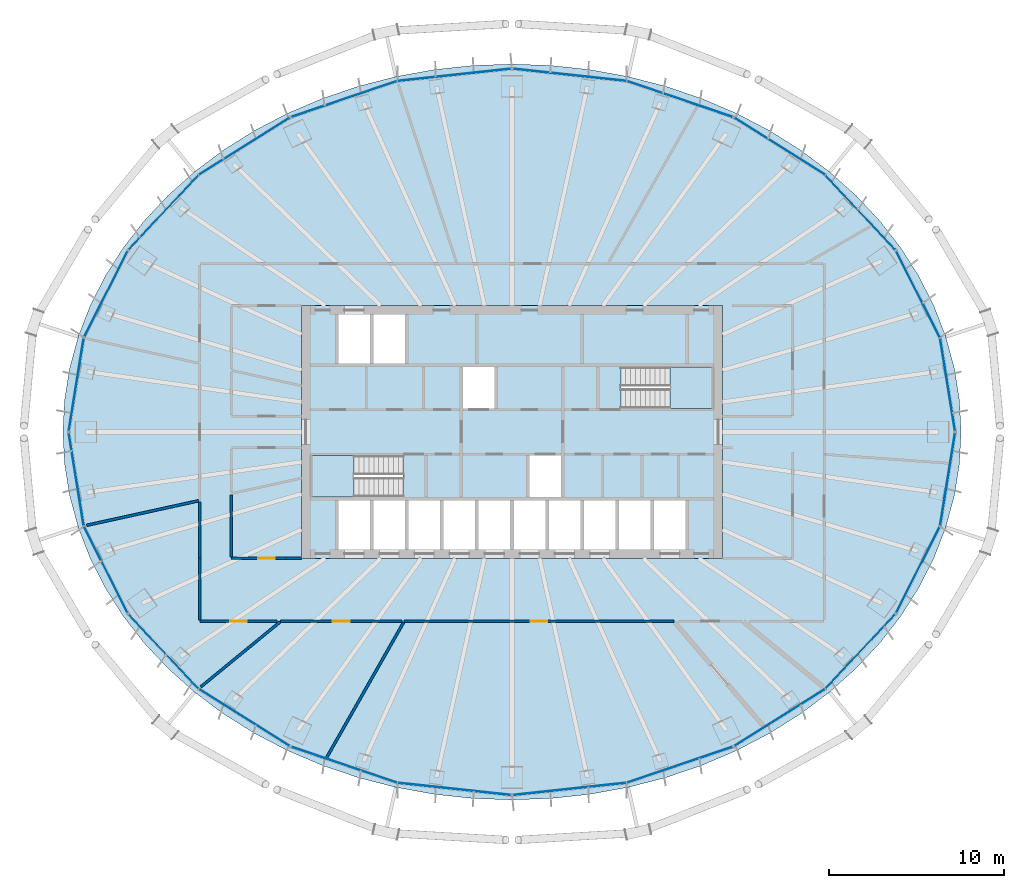
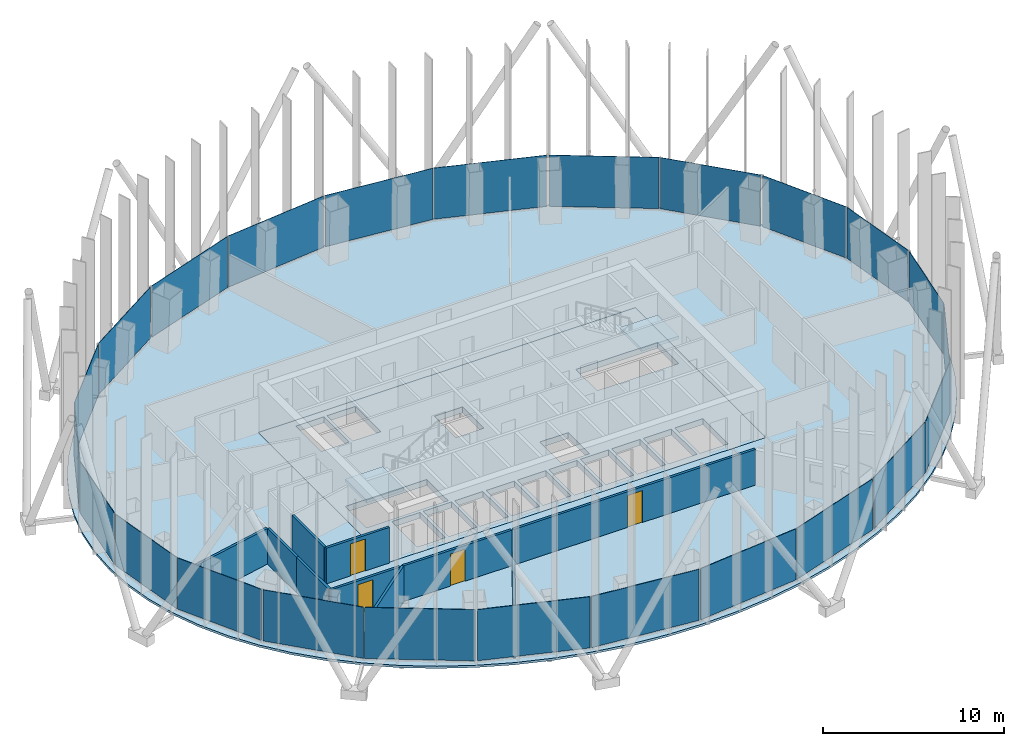
# One storey, part 7 of 19: 24 plates, 10 walls, 4 doors, 4 slabs, 4 openings, 14 elements without a shape of their own.
"""IFC4 building model written with IfcOpenShell, lengths in metres."""

from ifc_helpers import new_model, si_unit, direction, frame, frame_2d, origin, origin_2d, place, context, subcontext, project, spatial, polyline, rectangle, outline, extrude, material, layer, layer_set, type_object, element, fill, aggregate, save


model = new_model("IFC4")

# Units and contexts
model_context = context("Model", 3, precision=1e-05, world=origin(), true_north=direction((0.0, 1.0)))
body_context = subcontext(model_context, "Body", "Model", "MODEL_VIEW")
ifc_project = project(units=[si_unit("LENGTHUNIT", "METRE"), si_unit("AREAUNIT", "SQUARE_METRE"), si_unit("VOLUMEUNIT", "CUBIC_METRE"), si_unit("PLANEANGLEUNIT", "RADIAN"), si_unit("MASSUNIT", "GRAM", prefix="KILO")], contexts=[model_context])

# Site, building, storey
site_placement = place(None, origin())
site = spatial("IfcSite", under=ifc_project, at=site_placement, CompositionType="ELEMENT")
building_placement = place(site_placement, origin())
building = spatial("IfcBuilding", under=site, at=building_placement, Name="Siaravel Broadcast Tower", CompositionType="ELEMENT")
storey_placement = place(building_placement, frame((0.0, 0.0, 119.300048828125)))
storey = spatial("IfcBuildingStorey", under=building, at=storey_placement, Name="L28", CompositionType="ELEMENT", Elevation=119.300048828125)

# Curtain wall, plates
ifc_material_1 = material(Name="Aluminium 6063-T6", Category="aluminium")
ifc_layer_1 = layer(ifc_material_1, 0.199951171875)
ifc_layer_set_1 = layer_set([ifc_layer_1], Name="Aluminium 6063-T6")
curtain_wall_type = type_object("IfcCurtainWallType", Name="Unitised curtain wall, zone 2", PredefinedType="NOTDEFINED", material=ifc_layer_set_1)
curtain_wall_1_placement = place(storey_placement, origin())
curtain_wall_1 = element("IfcCurtainWall", 1, at=curtain_wall_1_placement, inside=storey, type_object=curtain_wall_type, Name="L28 Unitised curtain wall, zone 2 01", PredefinedType="NOTDEFINED")
ifc_material_2 = material(Name="Tinted laminated glass", Category="glass")
ifc_layer_2 = layer(ifc_material_2, 0.030029296875)
ifc_layer_set_2 = layer_set([ifc_layer_2], Name="Tinted laminated glass")
plate_type = type_object("IfcPlateType", Name="CW-Z2 glass panel", PredefinedType="CURTAIN_PANEL", material=ifc_layer_set_2)
plate_1_placement = place(storey_placement, frame((24.837646484375, 2.697265625, 0.10986328125), z_axis=(0.0, 0.0, 1.0), x_axis=(-0.158685611, 0.987329163, 0.0)))
plate_1 = element("IfcPlate", 2, at=plate_1_placement, type_object=plate_type, Name="CW-Z2 glass panel", PredefinedType="CURTAIN_PANEL", context=body_context, shape_type="SweptSolid", body=[
    extrude(rectangle(XDim=5.333740234375, YDim=0.030029296875, at=origin_2d()), origin(), (0.0, 0.0, 1.0), 3.43994140625),
])
plate_2_placement = place(storey_placement, frame((23.1533203125, 7.845947265625, 0.10986328125), z_axis=(0.0, 0.0, 1.0), x_axis=(-0.451261073, 0.892391979, 0.0)))
plate_2 = element("IfcPlate", 3, at=plate_2_placement, type_object=plate_type, Name="CW-Z2 glass panel", PredefinedType="CURTAIN_PANEL", context=body_context, shape_type="SweptSolid", body=[
    extrude(rectangle(XDim=5.500732421875, YDim=0.030029296875, at=origin_2d()), origin(), (0.0, 0.0, 1.0), 3.43994140625),
])
aggregate(curtain_wall_1, [plate_1, plate_2])

curtain_wall_2_placement = place(storey_placement, origin())
curtain_wall_2 = element("IfcCurtainWall", 4, at=curtain_wall_2_placement, inside=storey, type_object=curtain_wall_type, Name="L28 Unitised curtain wall, zone 2 02", PredefinedType="NOTDEFINED")
plate_3_placement = place(storey_placement, frame((19.86328125, 12.514404296875, 0.10986328125), z_axis=(0.0, 0.0, 1.0), x_axis=(-0.683655256, 0.729805105, 0.0)))
plate_3 = element("IfcPlate", 5, at=plate_3_placement, type_object=plate_type, Name="CW-Z2 glass panel", PredefinedType="CURTAIN_PANEL", context=body_context, shape_type="SweptSolid", body=[
    extrude(rectangle(XDim=5.77880859375, YDim=0.030029296875, at=origin_2d()), origin(), (0.0, 0.0, 1.0), 3.43994140625),
])
plate_4_placement = place(storey_placement, frame((15.2626953125, 16.282958984375, 0.10986328125), z_axis=(0.0, 0.0, 1.0), x_axis=(-0.846650632, 0.532149141, 0.0)))
plate_4 = element("IfcPlate", 6, at=plate_4_placement, type_object=plate_type, Name="CW-Z2 glass panel", PredefinedType="CURTAIN_PANEL", context=body_context, shape_type="SweptSolid", body=[
    extrude(rectangle(XDim=6.084228515625, YDim=0.030029296875, at=origin_2d()), origin(), (0.0, 0.0, 1.0), 3.43994140625),
])
aggregate(curtain_wall_2, [plate_3, plate_4])

curtain_wall_3_placement = place(storey_placement, origin())
curtain_wall_3 = element("IfcCurtainWall", 7, at=curtain_wall_3_placement, inside=storey, type_object=curtain_wall_type, Name="L28 Unitised curtain wall, zone 2 03", PredefinedType="NOTDEFINED")
plate_5_placement = place(storey_placement, frame((9.56982421875, 18.975341796875, 0.10986328125), z_axis=(0.0, 0.0, 1.0), x_axis=(-0.946977258, 0.321300596, 0.0)))
plate_5 = element("IfcPlate", 8, at=plate_5_placement, type_object=plate_type, Name="CW-Z2 glass panel", PredefinedType="CURTAIN_PANEL", context=body_context, shape_type="SweptSolid", body=[
    extrude(rectangle(XDim=6.337158203125, YDim=0.030029296875, at=origin_2d()), origin(), (0.0, 0.0, 1.0), 3.43994140625),
])
plate_6_placement = place(storey_placement, frame((3.285400390625, 20.3544921875, 0.10986328125), z_axis=(0.0, 0.0, 1.0), x_axis=(-0.994235591, 0.107217485, 0.0)))
plate_6 = element("IfcPlate", 9, at=plate_6_placement, type_object=plate_type, Name="CW-Z2 glass panel", PredefinedType="CURTAIN_PANEL", context=body_context, shape_type="SweptSolid", body=[
    extrude(rectangle(XDim=6.478759765625, YDim=0.030029296875, at=origin_2d()), origin(), (0.0, 0.0, 1.0), 3.43994140625),
])
aggregate(curtain_wall_3, [plate_5, plate_6])

curtain_wall_4_placement = place(storey_placement, origin())
curtain_wall_4 = element("IfcCurtainWall", 10, at=curtain_wall_4_placement, inside=storey, type_object=curtain_wall_type, Name="L28 Unitised curtain wall, zone 2 04", PredefinedType="NOTDEFINED")
plate_7_placement = place(storey_placement, frame((-3.285400390625, 20.3544921875, 0.10986328125), z_axis=(0.0, 0.0, 1.0), x_axis=(-0.994235591, -0.107217485, 0.0)))
plate_7 = element("IfcPlate", 11, at=plate_7_placement, type_object=plate_type, Name="CW-Z2 glass panel", PredefinedType="CURTAIN_PANEL", context=body_context, shape_type="SweptSolid", body=[
    extrude(rectangle(XDim=6.478759765625, YDim=0.030029296875, at=origin_2d()), origin(), (0.0, 0.0, 1.0), 3.43994140625),
])
plate_8_placement = place(storey_placement, frame((-9.56982421875, 18.975341796875, 0.10986328125), z_axis=(0.0, 0.0, 1.0), x_axis=(-0.946977258, -0.321300596, 0.0)))
plate_8 = element("IfcPlate", 12, at=plate_8_placement, type_object=plate_type, Name="CW-Z2 glass panel", PredefinedType="CURTAIN_PANEL", context=body_context, shape_type="SweptSolid", body=[
    extrude(rectangle(XDim=6.337158203125, YDim=0.030029296875, at=origin_2d()), origin(), (0.0, 0.0, 1.0), 3.43994140625),
])
aggregate(curtain_wall_4, [plate_7, plate_8])

curtain_wall_5_placement = place(storey_placement, origin())
curtain_wall_5 = element("IfcCurtainWall", 13, at=curtain_wall_5_placement, inside=storey, type_object=curtain_wall_type, Name="L28 Unitised curtain wall, zone 2 05", PredefinedType="NOTDEFINED")
plate_9_placement = place(storey_placement, frame((-15.2626953125, 16.282958984375, 0.10986328125), z_axis=(0.0, 0.0, 1.0), x_axis=(-0.846650632, -0.532149141, 0.0)))
plate_9 = element("IfcPlate", 14, at=plate_9_placement, type_object=plate_type, Name="CW-Z2 glass panel", PredefinedType="CURTAIN_PANEL", context=body_context, shape_type="SweptSolid", body=[
    extrude(rectangle(XDim=6.084228515625, YDim=0.030029296875, at=origin_2d()), origin(), (0.0, 0.0, 1.0), 3.43994140625),
])
plate_10_placement = place(storey_placement, frame((-19.86328125, 12.514404296875, 0.10986328125), z_axis=(0.0, 0.0, 1.0), x_axis=(-0.683655256, -0.729805105, 0.0)))
plate_10 = element("IfcPlate", 15, at=plate_10_placement, type_object=plate_type, Name="CW-Z2 glass panel", PredefinedType="CURTAIN_PANEL", context=body_context, shape_type="SweptSolid", body=[
    extrude(rectangle(XDim=5.77880859375, YDim=0.030029296875, at=origin_2d()), origin(), (0.0, 0.0, 1.0), 3.43994140625),
])
aggregate(curtain_wall_5, [plate_9, plate_10])

curtain_wall_6_placement = place(storey_placement, origin())
curtain_wall_6 = element("IfcCurtainWall", 16, at=curtain_wall_6_placement, inside=storey, type_object=curtain_wall_type, Name="L28 Unitised curtain wall, zone 2 06", PredefinedType="NOTDEFINED")
plate_11_placement = place(storey_placement, frame((-23.1533203125, 7.845947265625, 0.10986328125), z_axis=(0.0, 0.0, 1.0), x_axis=(-0.451261073, -0.892391979, 0.0)))
plate_11 = element("IfcPlate", 17, at=plate_11_placement, type_object=plate_type, Name="CW-Z2 glass panel", PredefinedType="CURTAIN_PANEL", context=body_context, shape_type="SweptSolid", body=[
    extrude(rectangle(XDim=5.500732421875, YDim=0.030029296875, at=origin_2d()), origin(), (0.0, 0.0, 1.0), 3.43994140625),
])
plate_12_placement = place(storey_placement, frame((-24.837646484375, 2.697265625, 0.10986328125), z_axis=(0.0, 0.0, 1.0), x_axis=(-0.158685611, -0.987329163, 0.0)))
plate_12 = element("IfcPlate", 18, at=plate_12_placement, type_object=plate_type, Name="CW-Z2 glass panel", PredefinedType="CURTAIN_PANEL", context=body_context, shape_type="SweptSolid", body=[
    extrude(rectangle(XDim=5.333740234375, YDim=0.030029296875, at=origin_2d()), origin(), (0.0, 0.0, 1.0), 3.43994140625),
])
aggregate(curtain_wall_6, [plate_11, plate_12])

curtain_wall_7_placement = place(storey_placement, origin())
curtain_wall_7 = element("IfcCurtainWall", 19, at=curtain_wall_7_placement, inside=storey, type_object=curtain_wall_type, Name="L28 Unitised curtain wall, zone 2 07", PredefinedType="NOTDEFINED")
plate_13_placement = place(storey_placement, frame((-24.837646484375, -2.697265625, 0.10986328125), z_axis=(0.0, 0.0, 1.0), x_axis=(0.158685611, -0.987329163, 0.0)))
plate_13 = element("IfcPlate", 20, at=plate_13_placement, type_object=plate_type, Name="CW-Z2 glass panel", PredefinedType="CURTAIN_PANEL", context=body_context, shape_type="SweptSolid", body=[
    extrude(rectangle(XDim=5.333740234375, YDim=0.030029296875, at=origin_2d()), origin(), (0.0, 0.0, 1.0), 3.43994140625),
])
plate_14_placement = place(storey_placement, frame((-23.1533203125, -7.845947265625, 0.10986328125), z_axis=(0.0, 0.0, 1.0), x_axis=(0.451261073, -0.892391979, 0.0)))
plate_14 = element("IfcPlate", 21, at=plate_14_placement, type_object=plate_type, Name="CW-Z2 glass panel", PredefinedType="CURTAIN_PANEL", context=body_context, shape_type="SweptSolid", body=[
    extrude(rectangle(XDim=5.500732421875, YDim=0.030029296875, at=origin_2d()), origin(), (0.0, 0.0, 1.0), 3.43994140625),
])
aggregate(curtain_wall_7, [plate_13, plate_14])

curtain_wall_8_placement = place(storey_placement, origin())
curtain_wall_8 = element("IfcCurtainWall", 22, at=curtain_wall_8_placement, inside=storey, type_object=curtain_wall_type, Name="L28 Unitised curtain wall, zone 2 08", PredefinedType="NOTDEFINED")
plate_15_placement = place(storey_placement, frame((-19.86328125, -12.514404296875, 0.10986328125), z_axis=(0.0, 0.0, 1.0), x_axis=(0.683655256, -0.729805105, 0.0)))
plate_15 = element("IfcPlate", 23, at=plate_15_placement, type_object=plate_type, Name="CW-Z2 glass panel", PredefinedType="CURTAIN_PANEL", context=body_context, shape_type="SweptSolid", body=[
    extrude(rectangle(XDim=5.77880859375, YDim=0.030029296875, at=origin_2d()), origin(), (0.0, 0.0, 1.0), 3.43994140625),
])
plate_16_placement = place(storey_placement, frame((-15.2626953125, -16.282958984375, 0.10986328125), z_axis=(0.0, 0.0, 1.0), x_axis=(0.846650632, -0.532149141, 0.0)))
plate_16 = element("IfcPlate", 24, at=plate_16_placement, type_object=plate_type, Name="CW-Z2 glass panel", PredefinedType="CURTAIN_PANEL", context=body_context, shape_type="SweptSolid", body=[
    extrude(rectangle(XDim=6.084228515625, YDim=0.030029296875, at=origin_2d()), origin(), (0.0, 0.0, 1.0), 3.43994140625),
])
aggregate(curtain_wall_8, [plate_15, plate_16])

curtain_wall_9_placement = place(storey_placement, origin())
curtain_wall_9 = element("IfcCurtainWall", 25, at=curtain_wall_9_placement, inside=storey, type_object=curtain_wall_type, Name="L28 Unitised curtain wall, zone 2 09", PredefinedType="NOTDEFINED")
plate_17_placement = place(storey_placement, frame((-9.56982421875, -18.975341796875, 0.10986328125), z_axis=(0.0, 0.0, 1.0), x_axis=(0.946977258, -0.321300596, 0.0)))
plate_17 = element("IfcPlate", 26, at=plate_17_placement, type_object=plate_type, Name="CW-Z2 glass panel", PredefinedType="CURTAIN_PANEL", context=body_context, shape_type="SweptSolid", body=[
    extrude(rectangle(XDim=6.337158203125, YDim=0.030029296875, at=origin_2d()), origin(), (0.0, 0.0, 1.0), 3.43994140625),
])
plate_18_placement = place(storey_placement, frame((-3.285400390625, -20.3544921875, 0.10986328125), z_axis=(0.0, 0.0, 1.0), x_axis=(0.994235591, -0.107217485, 0.0)))
plate_18 = element("IfcPlate", 27, at=plate_18_placement, type_object=plate_type, Name="CW-Z2 glass panel", PredefinedType="CURTAIN_PANEL", context=body_context, shape_type="SweptSolid", body=[
    extrude(rectangle(XDim=6.478759765625, YDim=0.030029296875, at=origin_2d()), origin(), (0.0, 0.0, 1.0), 3.43994140625),
])
aggregate(curtain_wall_9, [plate_17, plate_18])

curtain_wall_10_placement = place(storey_placement, origin())
curtain_wall_10 = element("IfcCurtainWall", 28, at=curtain_wall_10_placement, inside=storey, type_object=curtain_wall_type, Name="L28 Unitised curtain wall, zone 2 10", PredefinedType="NOTDEFINED")
plate_19_placement = place(storey_placement, frame((3.285400390625, -20.3544921875, 0.10986328125), z_axis=(0.0, 0.0, 1.0), x_axis=(0.994235591, 0.107217485, 0.0)))
plate_19 = element("IfcPlate", 29, at=plate_19_placement, type_object=plate_type, Name="CW-Z2 glass panel", PredefinedType="CURTAIN_PANEL", context=body_context, shape_type="SweptSolid", body=[
    extrude(rectangle(XDim=6.478759765625, YDim=0.030029296875, at=origin_2d()), origin(), (0.0, 0.0, 1.0), 3.43994140625),
])
plate_20_placement = place(storey_placement, frame((9.56982421875, -18.975341796875, 0.10986328125), z_axis=(0.0, 0.0, 1.0), x_axis=(0.946977258, 0.321300596, 0.0)))
plate_20 = element("IfcPlate", 30, at=plate_20_placement, type_object=plate_type, Name="CW-Z2 glass panel", PredefinedType="CURTAIN_PANEL", context=body_context, shape_type="SweptSolid", body=[
    extrude(rectangle(XDim=6.337158203125, YDim=0.030029296875, at=origin_2d()), origin(), (0.0, 0.0, 1.0), 3.43994140625),
])
aggregate(curtain_wall_10, [plate_19, plate_20])

curtain_wall_11_placement = place(storey_placement, origin())
curtain_wall_11 = element("IfcCurtainWall", 31, at=curtain_wall_11_placement, inside=storey, type_object=curtain_wall_type, Name="L28 Unitised curtain wall, zone 2 11", PredefinedType="NOTDEFINED")
plate_21_placement = place(storey_placement, frame((15.2626953125, -16.282958984375, 0.10986328125), z_axis=(0.0, 0.0, 1.0), x_axis=(0.846650632, 0.532149141, 0.0)))
plate_21 = element("IfcPlate", 32, at=plate_21_placement, type_object=plate_type, Name="CW-Z2 glass panel", PredefinedType="CURTAIN_PANEL", context=body_context, shape_type="SweptSolid", body=[
    extrude(rectangle(XDim=6.084228515625, YDim=0.030029296875, at=origin_2d()), origin(), (0.0, 0.0, 1.0), 3.43994140625),
])
plate_22_placement = place(storey_placement, frame((19.86328125, -12.514404296875, 0.10986328125), z_axis=(0.0, 0.0, 1.0), x_axis=(0.683655256, 0.729805105, 0.0)))
plate_22 = element("IfcPlate", 33, at=plate_22_placement, type_object=plate_type, Name="CW-Z2 glass panel", PredefinedType="CURTAIN_PANEL", context=body_context, shape_type="SweptSolid", body=[
    extrude(rectangle(XDim=5.77880859375, YDim=0.030029296875, at=origin_2d()), origin(), (0.0, 0.0, 1.0), 3.43994140625),
])
aggregate(curtain_wall_11, [plate_21, plate_22])

curtain_wall_12_placement = place(storey_placement, origin())
curtain_wall_12 = element("IfcCurtainWall", 34, at=curtain_wall_12_placement, inside=storey, type_object=curtain_wall_type, Name="L28 Unitised curtain wall, zone 2 12", PredefinedType="NOTDEFINED")
plate_23_placement = place(storey_placement, frame((23.1533203125, -7.845947265625, 0.10986328125), z_axis=(0.0, 0.0, 1.0), x_axis=(0.451261073, 0.892391979, 0.0)))
plate_23 = element("IfcPlate", 35, at=plate_23_placement, type_object=plate_type, Name="CW-Z2 glass panel", PredefinedType="CURTAIN_PANEL", context=body_context, shape_type="SweptSolid", body=[
    extrude(rectangle(XDim=5.500732421875, YDim=0.030029296875, at=origin_2d()), origin(), (0.0, 0.0, 1.0), 3.43994140625),
])
plate_24_placement = place(storey_placement, frame((24.837646484375, -2.697265625, 0.10986328125), z_axis=(0.0, 0.0, 1.0), x_axis=(0.158685611, 0.987329163, 0.0)))
plate_24 = element("IfcPlate", 36, at=plate_24_placement, type_object=plate_type, Name="CW-Z2 glass panel", PredefinedType="CURTAIN_PANEL", context=body_context, shape_type="SweptSolid", body=[
    extrude(rectangle(XDim=5.333740234375, YDim=0.030029296875, at=origin_2d()), origin(), (0.0, 0.0, 1.0), 3.43994140625),
])
aggregate(curtain_wall_12, [plate_23, plate_24])

# Slabs
ifc_material_3 = material(Name="Concrete C40/50", Category="concrete")
ifc_layer_3 = layer(ifc_material_3, 0.39990234375)
ifc_layer_set_3 = layer_set([ifc_layer_3], Name="Concrete C40/50")
slab_type_1 = type_object("IfcSlabType", Name="Core floor slab 400", PredefinedType="FLOOR", material=ifc_layer_set_3)
slab_1_placement = place(storey_placement, frame((0.0, 0.0, -0.400146484375)))
element("IfcSlab", 37, at=slab_1_placement, inside=storey, type_object=slab_type_1, Name="L28 core floor", PredefinedType="FLOOR", context=body_context, shape_type="SweptSolid", body=[
    extrude(outline(polyline([(-12.0, -7.199951171875), (-12.0, 7.199951171875), (12.0, 7.199951171875), (12.0, -7.199951171875), (-12.0, -7.199951171875)]), holes=[polyline([(11.3994140625, 1.3505859375), (11.3994140625, 3.699462890625), (6.200439453125, 3.699462890625), (6.200439453125, 1.3505859375), (11.3994140625, 1.3505859375)]), polyline([(9.89990234375, -3.89990234375), (8.10009765625, -3.89990234375), (8.10009765625, -6.699951171875), (9.89990234375, -6.699951171875), (9.89990234375, -3.89990234375)]), polyline([(7.89990234375, -3.89990234375), (6.10009765625, -3.89990234375), (6.10009765625, -6.699951171875), (7.89990234375, -6.699951171875), (7.89990234375, -3.89990234375)]), polyline([(5.89990234375, -3.89990234375), (4.10009765625, -3.89990234375), (4.10009765625, -6.699951171875), (5.89990234375, -6.699951171875), (5.89990234375, -3.89990234375)]), polyline([(3.89990234375, -3.89990234375), (2.10009765625, -3.89990234375), (2.10009765625, -6.699951171875), (3.89990234375, -6.699951171875), (3.89990234375, -3.89990234375)]), polyline([(2.800048828125, -1.35009765625), (1.0, -1.35009765625), (1.0, -3.699951171875), (2.800048828125, -3.699951171875), (2.800048828125, -1.35009765625)]), polyline([(1.89990234375, -3.89990234375), (0.10009765625, -3.89990234375), (0.10009765625, -6.699951171875), (1.89990234375, -6.699951171875), (1.89990234375, -3.89990234375)]), polyline([(-0.10009765625, -3.89990234375), (-1.89990234375, -3.89990234375), (-1.89990234375, -6.699951171875), (-0.10009765625, -6.699951171875), (-0.10009765625, -3.89990234375)]), polyline([(-1.0, 3.699951171875), (-2.800048828125, 3.699951171875), (-2.800048828125, 1.35009765625), (-1.0, 1.35009765625), (-1.0, 3.699951171875)]), polyline([(-2.10009765625, -3.89990234375), (-3.89990234375, -3.89990234375), (-3.89990234375, -6.699951171875), (-2.10009765625, -6.699951171875), (-2.10009765625, -3.89990234375)]), polyline([(-4.10009765625, -3.89990234375), (-5.89990234375, -3.89990234375), (-5.89990234375, -6.699951171875), (-4.10009765625, -6.699951171875), (-4.10009765625, -3.89990234375)]), polyline([(-6.10009765625, -3.89990234375), (-7.89990234375, -3.89990234375), (-7.89990234375, -6.699951171875), (-6.10009765625, -6.699951171875), (-6.10009765625, -3.89990234375)]), polyline([(-6.10009765625, 6.699951171875), (-7.89990234375, 6.699951171875), (-7.89990234375, 3.89990234375), (-6.10009765625, 3.89990234375), (-6.10009765625, 6.699951171875)]), polyline([(-11.3994140625, -1.3505859375), (-11.3994140625, -3.699462890625), (-6.200439453125, -3.699462890625), (-6.200439453125, -1.3505859375), (-11.3994140625, -1.3505859375)]), polyline([(-8.10009765625, -3.89990234375), (-9.89990234375, -3.89990234375), (-9.89990234375, -6.699951171875), (-8.10009765625, -6.699951171875), (-8.10009765625, -3.89990234375)]), polyline([(-8.10009765625, 6.699951171875), (-9.89990234375, 6.699951171875), (-9.89990234375, 3.89990234375), (-8.10009765625, 3.89990234375), (-8.10009765625, 6.699951171875)])]), origin(), (0.0, 0.0, 1.0), 0.400146484375),
])
ifc_layer_4 = layer(ifc_material_3, 0.14990234375)
ifc_layer_set_4 = layer_set([ifc_layer_4], Name="Concrete C40/50")
slab_type_2 = type_object("IfcSlabType", Name="SLB-FLOOR-150", PredefinedType="FLOOR", material=ifc_layer_set_4)
slab_2_placement = place(storey_placement, frame((0.0, 0.0, -0.150146484375)))
element("IfcSlab", 38, at=slab_2_placement, inside=storey, type_object=slab_type_2, Name="Floor slab", PredefinedType="FLOOR", context=body_context, shape_type="SweptSolid", body=[
    extrude(outline(polyline([(25.605224609375, 0.0), (25.5078125, 1.827880859375), (25.21630859375, 3.64208984375), (24.73291015625, 5.428466796875), (24.06103515625, 7.17333984375), (23.206298828125, 8.86376953125), (22.1748046875, 10.48681640625), (20.974609375, 12.030029296875), (19.61474609375, 13.481689453125), (18.105712890625, 14.83056640625), (16.458740234375, 16.066650390625), (14.6865234375, 17.1806640625), (12.802734375, 18.163818359375), (10.8212890625, 19.008544921875), (8.757568359375, 19.708740234375), (6.627197265625, 20.2587890625), (4.4462890625, 20.655029296875), (2.231689453125, 20.893798828125), (0.0, 20.9736328125), (-2.231689453125, 20.893798828125), (-4.4462890625, 20.655029296875), (-6.627197265625, 20.2587890625), (-8.757568359375, 19.708740234375), (-10.8212890625, 19.008544921875), (-12.802490234375, 18.163818359375), (-14.6865234375, 17.1806640625), (-16.458740234375, 16.066650390625), (-18.105712890625, 14.83056640625), (-19.61474609375, 13.481689453125), (-20.974609375, 12.030029296875), (-22.1748046875, 10.48681640625), (-23.206298828125, 8.86376953125), (-24.06103515625, 7.17333984375), (-24.73291015625, 5.428466796875), (-25.21630859375, 3.64208984375), (-25.5078125, 1.827880859375), (-25.605224609375, 0.0), (-25.5078125, -1.827880859375), (-25.21630859375, -3.64208984375), (-24.73291015625, -5.428466796875), (-24.06103515625, -7.17333984375), (-23.206298828125, -8.86376953125), (-22.1748046875, -10.48681640625), (-20.974609375, -12.030029296875), (-19.61474609375, -13.481689453125), (-18.105712890625, -14.83056640625), (-16.458740234375, -16.066650390625), (-14.6865234375, -17.1806640625), (-12.802734375, -18.163818359375), (-10.8212890625, -19.008544921875), (-8.757568359375, -19.708740234375), (-6.627197265625, -20.2587890625), (-4.4462890625, -20.655029296875), (-2.231689453125, -20.893798828125), (0.0, -20.9736328125), (2.231689453125, -20.893798828125), (4.4462890625, -20.655029296875), (6.627197265625, -20.2587890625), (8.757568359375, -19.708740234375), (10.8212890625, -19.008544921875), (12.802734375, -18.163818359375), (14.6865234375, -17.1806640625), (16.458740234375, -16.066650390625), (18.105712890625, -14.83056640625), (19.61474609375, -13.481689453125), (20.974609375, -12.030029296875), (22.1748046875, -10.48681640625), (23.206298828125, -8.86376953125), (24.06103515625, -7.17333984375), (24.73291015625, -5.428466796875), (25.21630859375, -3.64208984375), (25.5078125, -1.827880859375), (25.605224609375, 0.0)]), holes=[polyline([(-12.0, 7.199951171875), (12.0, 7.199951171875), (12.0, -7.199951171875), (-12.0, -7.199951171875), (-12.0, 7.199951171875)])]), origin(), (0.0, 0.0, 1.0), 0.150146484375),
])

# Stair, slab
stair_type = type_object("IfcStairType", Name="Core exit stair", PredefinedType="HALF_TURN_STAIR", material=ifc_material_3)
stair_1_placement = place(storey_placement, origin())
stair_1 = element("IfcStair", 39, at=stair_1_placement, inside=storey, type_object=stair_type, Name="L28 Exit stair ST-1", PredefinedType="HALF_TURN_STAIR")
ifc_layer_5 = layer(ifc_material_3, 0.199951171875)
ifc_layer_set_5 = layer_set([ifc_layer_5], Name="Concrete C40/50")
slab_type_3 = type_object("IfcSlabType", Name="Stair landing", PredefinedType="LANDING", material=ifc_layer_set_5)
slab_3_placement = place(storey_placement, frame((0.0, 0.0, 1.64990234375)))
slab_3 = element("IfcSlab", 40, at=slab_3_placement, type_object=slab_type_3, Name="ST-1 landing 1", PredefinedType="LANDING", context=body_context, shape_type="SweptSolid", body=[
    extrude(outline(polyline([(-9.0, -1.35009765625), (-11.39990234375, -1.35009765625), (-11.39990234375, -3.699951171875), (-9.0, -3.699951171875), (-9.0, -1.35009765625)])), origin(), (0.0, 0.0, 1.0), 0.199951171875),
])
aggregate(stair_1, [slab_3])

stair_2_placement = place(storey_placement, origin())
stair_2 = element("IfcStair", 41, at=stair_2_placement, inside=storey, type_object=stair_type, Name="L28 Exit stair ST-2", PredefinedType="HALF_TURN_STAIR")
slab_4_placement = place(storey_placement, frame((0.0, 0.0, 1.64990234375)))
slab_4 = element("IfcSlab", 42, at=slab_4_placement, type_object=slab_type_3, Name="ST-2 landing 1", PredefinedType="LANDING", context=body_context, shape_type="SweptSolid", body=[
    extrude(outline(polyline([(9.0, 1.35009765625), (11.39990234375, 1.35009765625), (11.39990234375, 3.699951171875), (9.0, 3.699951171875), (9.0, 1.35009765625)])), origin(), (0.0, 0.0, 1.0), 0.199951171875),
])
aggregate(stair_2, [slab_4])

# Wall, opening, door
ifc_material_4 = material(Name="Gypsum board partition", Category="gypsum")
ifc_layer_6 = layer(ifc_material_4, 0.14990234375)
ifc_layer_set_6 = layer_set([ifc_layer_6], Name="Gypsum board partition")
wall_type_1 = type_object("IfcWallType", Name="Corridor wall 150", PredefinedType="PARTITIONING", material=ifc_layer_set_6)
wall_1_placement = place(storey_placement, frame((-6.148193359375, -10.800048828125, 0.0), z_axis=(0.0, 0.0, 1.0), x_axis=(1.0, 0.0, 0.0)))
wall_1 = element("IfcWall", 43, at=wall_1_placement, inside=storey, type_object=wall_type_1, Name="L28 partition 1", PredefinedType="PARTITIONING", context=body_context, shape_type="SweptSolid", body=[
    extrude(rectangle(XDim=15.38037109375, YDim=0.14990234375, at=frame_2d((7.690185546875, 0.0))), origin(), (0.0, 0.0, 1.0), 2.39990234375),
])
opening_1_placement = place(wall_1_placement, frame((7.215087890625, 0.0, 0.0)))
opening_1 = element("IfcOpeningElement", 44, at=opening_1_placement, cuts=wall_1, Name="Opening L28-016", PredefinedType="OPENING", context=body_context, shape_type="SweptSolid", body=[
    extrude(rectangle(XDim=0.949951171875, YDim=2.14990234375, at=frame_2d((0.47509765625, 1.074951171875))), frame((0.0, 0.0849609375, 0.0), z_axis=(0.0, -1.0, 0.0), x_axis=(1.0, 0.0, 0.0)), (0.0, 0.0, 1.0), 0.169921875),
])
ifc_material_5 = material(Name="Timber veneer", Category="wood")
door_type = type_object("IfcDoorType", Name="Office door 950", OperationType="SINGLE_SWING_LEFT", PredefinedType="DOOR", material=ifc_material_5)
door_1_placement = place(opening_1_placement, origin())
door_1 = element("IfcDoor", 45, at=door_1_placement, inside=storey, type_object=door_type, Name="L28 door to Design studio", OperationType="SINGLE_SWING_RIGHT", OverallHeight=2.14990234375, OverallWidth=0.949951171875, PredefinedType="DOOR", context=body_context, shape_type="SweptSolid", body=[
    extrude(rectangle(XDim=0.949951171875, YDim=2.14990234375, at=frame_2d((0.47509765625, 1.074951171875))), frame((0.0, 0.02490234375, 0.0), z_axis=(0.0, -1.0, 0.0), x_axis=(1.0, 0.0, 0.0)), (0.0, 0.0, 1.0), 0.050048828125),
])
fill(opening_1, door_1)

wall_2_placement = place(storey_placement, frame((-13.18505859375, -10.800048828125, 0.0), z_axis=(0.0, 0.0, 1.0), x_axis=(1.0, 0.0, 0.0)))
wall_2 = element("IfcWall", 46, at=wall_2_placement, inside=storey, type_object=wall_type_1, Name="L28 partition 12", PredefinedType="PARTITIONING", context=body_context, shape_type="SweptSolid", body=[
    extrude(rectangle(XDim=6.90576171875, YDim=0.14990234375, at=frame_2d((3.452880859375, 0.0))), origin(), (0.0, 0.0, 1.0), 2.39990234375),
])
opening_2_placement = place(wall_2_placement, frame((2.977783203125, 0.0, 0.0)))
opening_2 = element("IfcOpeningElement", 47, at=opening_2_placement, cuts=wall_2, Name="Opening L28-015", PredefinedType="OPENING", context=body_context, shape_type="SweptSolid", body=[
    extrude(rectangle(XDim=0.949951171875, YDim=2.14990234375, at=frame_2d((0.47509765625, 1.074951171875))), frame((0.0, 0.0849609375, 0.0), z_axis=(0.0, -1.0, 0.0), x_axis=(1.0, 0.0, 0.0)), (0.0, 0.0, 1.0), 0.169921875),
])
door_2_placement = place(opening_2_placement, origin())
door_2 = element("IfcDoor", 48, at=door_2_placement, inside=storey, type_object=door_type, Name="L28 door to Production office", OperationType="SINGLE_SWING_LEFT", OverallHeight=2.14990234375, OverallWidth=0.949951171875, PredefinedType="DOOR", context=body_context, shape_type="SweptSolid", body=[
    extrude(rectangle(XDim=0.949951171875, YDim=2.14990234375, at=frame_2d((0.47509765625, 1.074951171875))), frame((0.0, 0.02490234375, 0.0), z_axis=(0.0, -1.0, 0.0), x_axis=(1.0, 0.0, 0.0)), (0.0, 0.0, 1.0), 0.050048828125),
])
fill(opening_2, door_2)

wall_3_placement = place(storey_placement, frame((-17.800048828125, -10.800048828125, 0.0), z_axis=(0.0, 0.0, 1.0), x_axis=(1.0, 0.0, 0.0)))
wall_3 = element("IfcWall", 49, at=wall_3_placement, inside=storey, type_object=wall_type_1, Name="L28 partition 20", PredefinedType="PARTITIONING", context=body_context, shape_type="SweptSolid", body=[
    extrude(rectangle(XDim=4.403076171875, YDim=0.14990234375, at=frame_2d((2.20166015625, 0.0))), origin(), (0.0, 0.0, 1.0), 2.39990234375),
])
opening_3_placement = place(wall_3_placement, frame((1.7265625, 0.0, 0.0)))
opening_3 = element("IfcOpeningElement", 50, at=opening_3_placement, cuts=wall_3, Name="Opening L28-013", PredefinedType="OPENING", context=body_context, shape_type="SweptSolid", body=[
    extrude(rectangle(XDim=0.949951171875, YDim=2.14990234375, at=frame_2d((0.47509765625, 1.074951171875))), frame((0.0, 0.0849609375, 0.0), z_axis=(0.0, -1.0, 0.0), x_axis=(1.0, 0.0, 0.0)), (0.0, 0.0, 1.0), 0.169921875),
])
door_3_placement = place(opening_3_placement, origin())
door_3 = element("IfcDoor", 51, at=door_3_placement, inside=storey, type_object=door_type, Name="L28 door to Design studio", OperationType="SINGLE_SWING_LEFT", OverallHeight=2.14990234375, OverallWidth=0.949951171875, PredefinedType="DOOR", context=body_context, shape_type="SweptSolid", body=[
    extrude(rectangle(XDim=0.949951171875, YDim=2.14990234375, at=frame_2d((0.47509765625, 1.074951171875))), frame((0.0, 0.02490234375, 0.0), z_axis=(0.0, -1.0, 0.0), x_axis=(1.0, 0.0, 0.0)), (0.0, 0.0, 1.0), 0.050048828125),
])
fill(opening_3, door_3)

wall_4_placement = place(storey_placement, frame((-12.0, -7.199951171875, 0.0), z_axis=(0.0, 0.0, 1.0), x_axis=(-1.0, 0.0, 0.0)))
wall_4 = element("IfcWall", 52, at=wall_4_placement, inside=storey, type_object=wall_type_1, Name="L28 partition 27", PredefinedType="PARTITIONING", context=body_context, shape_type="SweptSolid", body=[
    extrude(rectangle(XDim=4.0, YDim=0.14990234375, at=frame_2d((2.0, 0.0))), origin(), (0.0, 0.0, 1.0), 2.39990234375),
])
opening_4_placement = place(wall_4_placement, frame((1.52490234375, 0.0, 0.0)))
opening_4 = element("IfcOpeningElement", 53, at=opening_4_placement, cuts=wall_4, Name="Opening L28-014", PredefinedType="OPENING", context=body_context, shape_type="SweptSolid", body=[
    extrude(rectangle(XDim=0.949951171875, YDim=2.14990234375, at=frame_2d((0.47509765625, 1.074951171875))), frame((0.0, 0.0849609375, 0.0), z_axis=(0.0, -1.0, 0.0), x_axis=(1.0, 0.0, 0.0)), (0.0, 0.0, 1.0), 0.169921875),
])
door_4_placement = place(opening_4_placement, origin())
door_4 = element("IfcDoor", 54, at=door_4_placement, inside=storey, type_object=door_type, Name="L28 door to Design studio", OperationType="SINGLE_SWING_RIGHT", OverallHeight=2.14990234375, OverallWidth=0.949951171875, PredefinedType="DOOR", context=body_context, shape_type="SweptSolid", body=[
    extrude(rectangle(XDim=0.949951171875, YDim=2.14990234375, at=frame_2d((0.47509765625, 1.074951171875))), frame((0.0, 0.02490234375, 0.0), z_axis=(0.0, -1.0, 0.0), x_axis=(1.0, 0.0, 0.0)), (0.0, 0.0, 1.0), 0.050048828125),
])
fill(opening_4, door_4)

# Walls
wall_5_placement = place(storey_placement, frame((-16.0, -7.123046875, 0.0), z_axis=(0.0, 0.0, 1.0), x_axis=(0.0, 1.0, 0.0)))
element("IfcWall", 55, at=wall_5_placement, inside=storey, type_object=wall_type_1, Name="L28 partition 32", PredefinedType="PARTITIONING", context=body_context, shape_type="SweptSolid", body=[
    extrude(rectangle(XDim=3.5361328125, YDim=0.14990234375, at=frame_2d((1.76806640625, 0.0))), origin(), (0.0, 0.0, 1.0), 2.39990234375),
])
wall_6_placement = place(storey_placement, frame((-17.800048828125, -7.18798828125, 0.0), z_axis=(0.0, 0.0, 1.0), x_axis=(0.0, -1.0, 0.0)))
element("IfcWall", 56, at=wall_6_placement, inside=storey, type_object=wall_type_1, Name="L28 partition 34", PredefinedType="PARTITIONING", context=body_context, shape_type="SweptSolid", body=[
    extrude(rectangle(XDim=3.534912109375, YDim=0.14990234375, at=frame_2d((1.767578125, 0.0))), origin(), (0.0, 0.0, 1.0), 2.39990234375),
])
wall_7_placement = place(storey_placement, frame((-17.800048828125, -4.001953125, 0.0), z_axis=(0.0, 0.0, 1.0), x_axis=(0.0, -1.0, 0.0)))
element("IfcWall", 57, at=wall_7_placement, inside=storey, type_object=wall_type_1, Name="L28 partition 37", PredefinedType="PARTITIONING", context=body_context, shape_type="SweptSolid", body=[
    extrude(rectangle(XDim=3.18505859375, YDim=0.14990234375, at=frame_2d((1.592529296875, 0.0))), origin(), (0.0, 0.0, 1.0), 2.39990234375),
])
ifc_layer_7 = layer(ifc_material_4, 0.14990234375)
ifc_layer_set_7 = layer_set([ifc_layer_7], Name="Gypsum board partition")
wall_type_2 = type_object("IfcWallType", Name="Room partition 150", PredefinedType="PARTITIONING", material=ifc_layer_set_7)
wall_8_placement = place(storey_placement, frame((-10.598388671875, -18.6171875, 0.0), z_axis=(0.0, 0.0, 1.0), x_axis=(0.494736514, 0.869043026, 0.0)))
element("IfcWall", 58, at=wall_8_placement, inside=storey, type_object=wall_type_2, Name="L28 partition 6", PredefinedType="PARTITIONING", context=body_context, shape_type="SweptSolid", body=[
    extrude(rectangle(XDim=8.927978515625, YDim=0.14990234375, at=frame_2d((4.4638671875, 0.0))), origin(), (0.0, 0.0, 1.0), 2.39990234375),
])
wall_9_placement = place(storey_placement, frame((-24.243408203125, -5.32080078125, 0.0), z_axis=(0.0, 0.0, 1.0), x_axis=(0.976754477, 0.214361126, 0.0)))
element("IfcWall", 59, at=wall_9_placement, inside=storey, type_object=wall_type_2, Name="L28 partition 14", PredefinedType="PARTITIONING", context=body_context, shape_type="SweptSolid", body=[
    extrude(rectangle(XDim=6.521484375, YDim=0.14990234375, at=frame_2d((3.2607421875, 0.0))), origin(), (0.0, 0.0, 1.0), 2.39990234375),
])
wall_10_placement = place(storey_placement, frame((-17.738525390625, -14.52978515625, 0.0), z_axis=(0.0, 0.0, 1.0), x_axis=(0.773597481, 0.633677314, 0.0)))
element("IfcWall", 60, at=wall_10_placement, inside=storey, type_object=wall_type_2, Name="L28 partition 18", PredefinedType="PARTITIONING", context=body_context, shape_type="SweptSolid", body=[
    extrude(rectangle(XDim=5.83642578125, YDim=0.14990234375, at=frame_2d((2.918212890625, 0.0))), origin(), (0.0, 0.0, 1.0), 2.39990234375),
])

save(model, "model.ifc")
